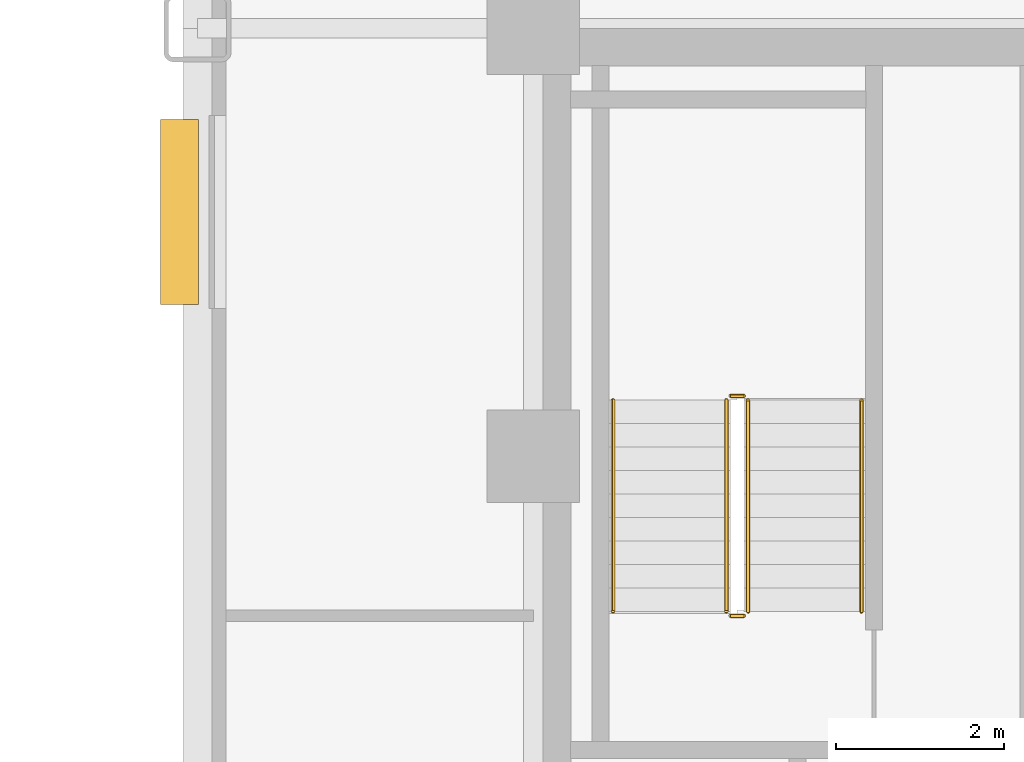
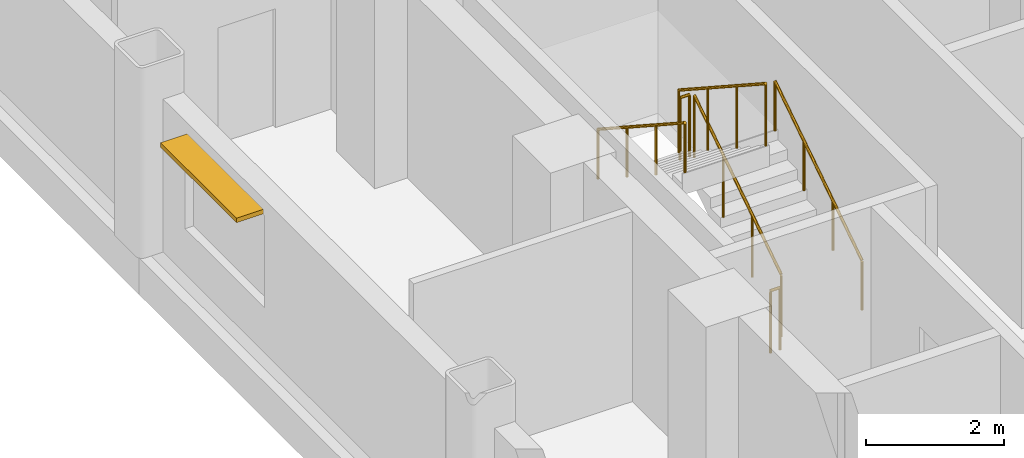
# One storey, part 12 of 14: 6 railings, 1 shading device.
"""IFC4 building model written with IfcOpenShell, lengths in metres."""

from ifc_helpers import new_model, si_unit, direction, frame, origin, origin_2d, place, context, subcontext, project, spatial, rectangle, circle, extrude, source, transform, mapped, material, type_object, type_shapes, element, save


model = new_model("IFC4")

# Units and contexts
model_context = context("Model", 3, precision=1e-05, world=origin(), true_north=direction((0.0, 1.0)))
body_context = subcontext(model_context, "Body", "Model", "MODEL_VIEW")
ifc_project = project(units=[si_unit("LENGTHUNIT", "METRE"), si_unit("AREAUNIT", "SQUARE_METRE"), si_unit("VOLUMEUNIT", "CUBIC_METRE"), si_unit("PLANEANGLEUNIT", "RADIAN"), si_unit("MASSUNIT", "GRAM", prefix="KILO")], contexts=[model_context])

# Site, building, storey
site_placement = place(None, origin())
site = spatial("IfcSite", under=ifc_project, at=site_placement, CompositionType="ELEMENT")
building_placement = place(site_placement, origin())
building = spatial("IfcBuilding", under=site, at=building_placement, Name="Nuvemarco Arch Tower", CompositionType="ELEMENT")
storey_placement = place(building_placement, frame((0.0, 0.0, 60.449951171875)))
storey = spatial("IfcBuildingStorey", under=building, at=storey_placement, Name="L15", CompositionType="ELEMENT", Elevation=60.449951171875)

# Railings
ifc_material_1 = material(Name="Brushed stainless steel handrail", Category="steel")
railing_type_1 = type_object("IfcRailingType", Name="RL-HANDRAIL-900", PredefinedType="HANDRAIL", material=ifc_material_1)
railing_1_placement = place(storey_placement, frame((-13.590087890625, 2.64990234375, 0.1826171875)))
element("IfcRailing", 1, at=railing_1_placement, inside=storey, type_object=railing_type_1, Name="L15 ST-1 stair handrail 1", PredefinedType="HANDRAIL", context=body_context, shape_type="SweptSolid", body=[
    extrude(circle(Radius=0.02392578125, at=origin_2d()), frame((0.0, 0.0, 0.8759765625), z_axis=(0.0, 0.837786554691, 0.545997883492), x_axis=(-1.0, 0.0, 0.0)), (0.0, 0.0, 1.0), 3.008056640625),
    extrude(circle(Radius=0.02099609375, at=origin_2d()), origin(), (0.0, 0.0, 1.0), 0.851806640625),
    extrude(circle(Radius=0.02099609375, at=origin_2d()), frame((0.0, 0.840087890625, 0.54736328125)), (0.0, 0.0, 1.0), 0.851806640625),
    extrude(circle(Radius=0.02099609375, at=origin_2d()), frame((0.0, 1.679931640625, 1.094970703125)), (0.0, 0.0, 1.0), 0.851806640625),
    extrude(circle(Radius=0.02099609375, at=origin_2d()), frame((0.0, 2.52001953125, 1.642333984375)), (0.0, 0.0, 1.0), 0.851806640625),
])
railing_2_placement = place(storey_placement, frame((-16.550048828125, 5.169921875, 2.007568359375)))
element("IfcRailing", 2, at=railing_2_placement, inside=storey, type_object=railing_type_1, Name="L15 ST-1 stair handrail 2", PredefinedType="HANDRAIL", context=body_context, shape_type="SweptSolid", body=[
    extrude(circle(Radius=0.02392578125, at=origin_2d()), frame((0.0, 0.0, 0.8759765625), z_axis=(0.0, -0.837749427056, 0.546054848405), x_axis=(1.0, 0.0, 0.0)), (0.0, 0.0, 1.0), 3.008056640625),
    extrude(circle(Radius=0.02099609375, at=origin_2d()), origin(), (0.0, 0.0, 1.0), 0.851806640625),
    extrude(circle(Radius=0.02099609375, at=origin_2d()), frame((0.0, -0.840087890625, 0.547607421875)), (0.0, 0.0, 1.0), 0.851806640625),
    extrude(circle(Radius=0.02099609375, at=origin_2d()), frame((0.0, -1.679931640625, 1.094970703125)), (0.0, 0.0, 1.0), 0.851806640625),
    extrude(circle(Radius=0.02099609375, at=origin_2d()), frame((0.0, -2.52001953125, 1.642578125)), (0.0, 0.0, 1.0), 0.851806640625),
])
ifc_material_2 = material(Name="Painted balustrade steel S355", Category="steel")
railing_type_2 = type_object("IfcRailingType", Name="RL-STAIR-GUARD", PredefinedType="GUARDRAIL", material=ifc_material_2)
railing_3_placement = place(storey_placement, frame((-14.93994140625, 2.64990234375, 0.1826171875)))
element("IfcRailing", 3, at=railing_3_placement, inside=storey, type_object=railing_type_2, Name="L15 ST-1 stair guard 1", PredefinedType="GUARDRAIL", context=body_context, shape_type="SweptSolid", body=[
    extrude(circle(Radius=0.02392578125, at=origin_2d()), frame((0.0, 0.0, 1.09619140625), z_axis=(0.0, 0.837786554691, 0.545997883492), x_axis=(-1.0, 0.0, 0.0)), (0.0, 0.0, 1.0), 3.008056640625),
    extrude(circle(Radius=0.02099609375, at=origin_2d()), origin(), (0.0, 0.0, 1.0), 1.072021484375),
    extrude(circle(Radius=0.02099609375, at=origin_2d()), frame((0.0, 0.840087890625, 0.54736328125)), (0.0, 0.0, 1.0), 1.072021484375),
    extrude(circle(Radius=0.02099609375, at=origin_2d()), frame((0.0, 1.679931640625, 1.094970703125)), (0.0, 0.0, 1.0), 1.072021484375),
    extrude(circle(Radius=0.02099609375, at=origin_2d()), frame((0.0, 2.52001953125, 1.642333984375)), (0.0, 0.0, 1.0), 1.072021484375),
])
railing_4_placement = place(storey_placement, frame((-14.989990234375, 5.219970703125, 1.824951171875)))
element("IfcRailing", 4, at=railing_4_placement, inside=storey, type_object=railing_type_2, Name="L15 ST-1 stair guard 2", PredefinedType="GUARDRAIL", context=body_context, shape_type="SweptSolid", body=[
    extrude(circle(Radius=0.02392578125, at=origin_2d()), frame((0.0, 0.0, 1.09619140625), z_axis=(-1.0, 0.0, 0.0), x_axis=(0.0, -1.0, 0.0)), (0.0, 0.0, 1.0), 0.159912109375),
    extrude(circle(Radius=0.02099609375, at=origin_2d()), origin(), (0.0, 0.0, 1.0), 1.072021484375),
    extrude(circle(Radius=0.02099609375, at=origin_2d()), frame((-0.159912109375, 0.0, 0.0)), (0.0, 0.0, 1.0), 1.072021484375),
])
railing_5_placement = place(storey_placement, frame((-15.199951171875, 5.169921875, 2.007568359375)))
element("IfcRailing", 5, at=railing_5_placement, inside=storey, type_object=railing_type_2, Name="L15 ST-1 stair guard 3", PredefinedType="GUARDRAIL", context=body_context, shape_type="SweptSolid", body=[
    extrude(circle(Radius=0.02392578125, at=origin_2d()), frame((0.0, 0.0, 1.09619140625), z_axis=(0.0, -0.837749427056, 0.546054848405), x_axis=(1.0, 0.0, 0.0)), (0.0, 0.0, 1.0), 3.008056640625),
    extrude(circle(Radius=0.02099609375, at=origin_2d()), origin(), (0.0, 0.0, 1.0), 1.072021484375),
    extrude(circle(Radius=0.02099609375, at=origin_2d()), frame((0.0, -0.840087890625, 0.547607421875)), (0.0, 0.0, 1.0), 1.072021484375),
    extrude(circle(Radius=0.02099609375, at=origin_2d()), frame((0.0, -1.679931640625, 1.094970703125)), (0.0, 0.0, 1.0), 1.072021484375),
    extrude(circle(Radius=0.02099609375, at=origin_2d()), frame((0.0, -2.52001953125, 1.642578125)), (0.0, 0.0, 1.0), 1.072021484375),
])
railing_6_placement = place(storey_placement, frame((-14.989990234375, 2.60009765625, 0.0)))
element("IfcRailing", 6, at=railing_6_placement, inside=storey, type_object=railing_type_2, Name="L15 ST-1 stair guard 4", PredefinedType="GUARDRAIL", context=body_context, shape_type="SweptSolid", body=[
    extrude(circle(Radius=0.02392578125, at=origin_2d()), frame((0.0, 0.0, 1.09619140625), z_axis=(-1.0, 0.0, 0.0), x_axis=(0.0, -1.0, 0.0)), (0.0, 0.0, 1.0), 0.159912109375),
    extrude(circle(Radius=0.02099609375, at=origin_2d()), origin(), (0.0, 0.0, 1.0), 1.072021484375),
    extrude(circle(Radius=0.02099609375, at=origin_2d()), frame((-0.159912109375, 0.0, 0.0)), (0.0, 0.0, 1.0), 1.072021484375),
])

# Shading device
ifc_material_3 = material(Name="Anodised aluminium 6063-T6", Category="aluminium")
shading_device_type = type_object("IfcShadingDeviceType", Name="SHD-BRISE-SOLEIL", PredefinedType="USERDEFINED", material=ifc_material_3)
shared_shape = source(origin(), body_context, "Body", "SweptSolid", [
    extrude(rectangle(XDim=2.199951171875, YDim=0.449951171875, at=origin_2d()), origin(), (0.0, 0.0, 1.0), 0.080078125),
])
type_shapes(shading_device_type, [shared_shape])
shading_device_placement = place(storey_placement, frame((-21.715087890625, 7.41162109375, 2.425048828125), z_axis=(0.0, 0.0, 1.0), x_axis=(0.0, 1.0, 0.0)))
element("IfcShadingDevice", 7, at=shading_device_placement, inside=storey, type_object=shading_device_type, Name="L15 horizontal brise-soleil sunshade", ObjectType="SUNSHADE", PredefinedType="USERDEFINED", context=body_context, shape_type="MappedRepresentation", body=[
    mapped(shared_shape, transform((0.0, 0.0, 0.0), scale=1.0)),
])

save(model, "model.ifc")
